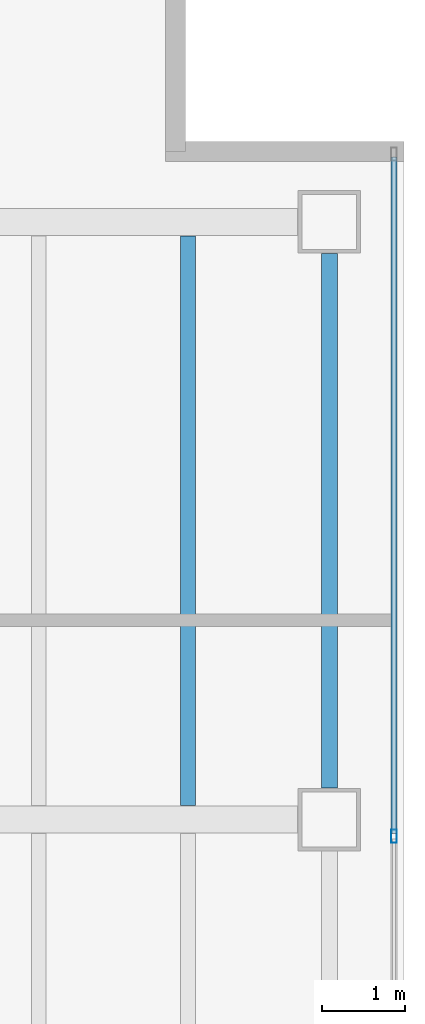
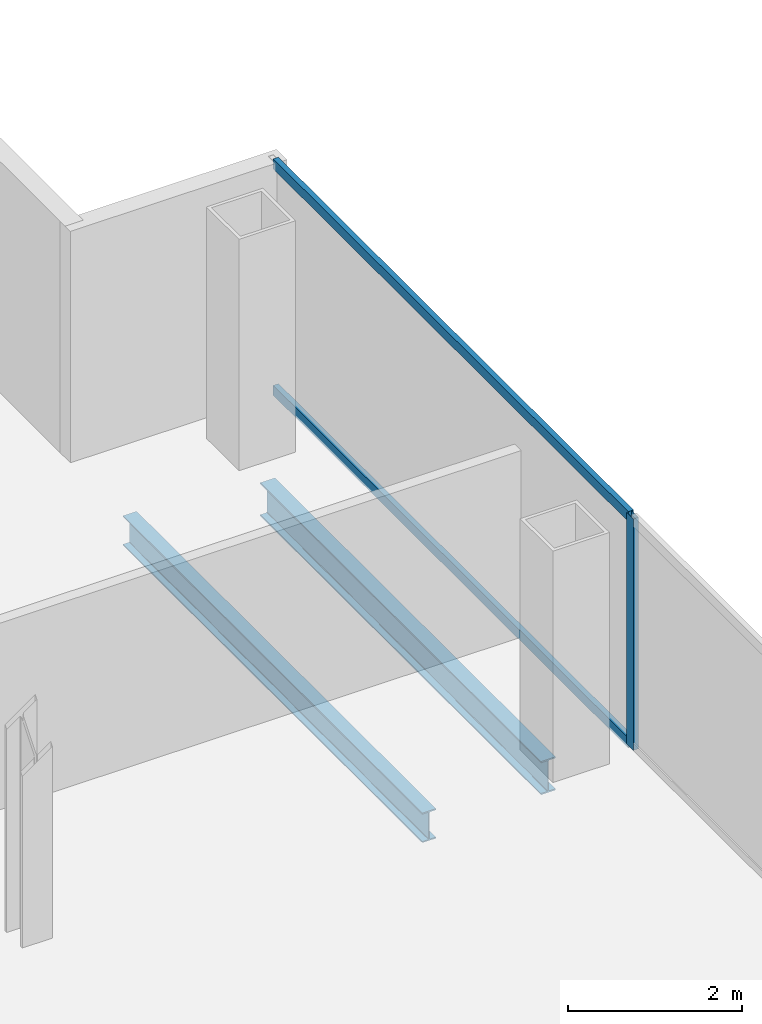
# One storey, part 14 of 23: 3 members, 2 beams, 1 element without a shape of its own.
"""IFC4 building model written with IfcOpenShell, lengths in metres."""

from ifc_helpers import new_model, si_unit, direction, frame, origin, origin_2d, place, context, subcontext, project, spatial, hollow_rectangle, i_section, extrude, material, material_profile, profile_set, type_object, element, aggregate, save


model = new_model("IFC4")

# Units and contexts
model_context = context("Model", 3, precision=1e-05, world=origin(), true_north=direction((0.0, 1.0)))
body_context = subcontext(model_context, "Body", "Model", "MODEL_VIEW")
ifc_project = project(units=[si_unit("LENGTHUNIT", "METRE"), si_unit("AREAUNIT", "SQUARE_METRE"), si_unit("VOLUMEUNIT", "CUBIC_METRE"), si_unit("PLANEANGLEUNIT", "RADIAN"), si_unit("MASSUNIT", "GRAM", prefix="KILO")], contexts=[model_context])

# Site, building, storey
site_placement = place(None, origin())
site = spatial("IfcSite", under=ifc_project, at=site_placement, CompositionType="ELEMENT")
building_placement = place(site_placement, origin())
building = spatial("IfcBuilding", under=site, at=building_placement, Name="Cobrela Telecom Tower", CompositionType="ELEMENT")
storey_placement = place(building_placement, frame((0.0, 0.0, 211.75)))
storey = spatial("IfcBuildingStorey", under=building, at=storey_placement, Name="L54", CompositionType="ELEMENT", Elevation=211.75)

# Beams
ifc_material_1 = material(Name="Steel ASTM A992 Grade 50", Category="steel")
ifc_material_profile_1 = material_profile(ifc_material_1, i_section(OverallWidth=0.179931640625, OverallDepth=0.4169921875, WebThickness=0.010986328125, FlangeThickness=0.01806640625, FilletRadius=0.011962890625, at=origin_2d()), Name="W16X57")
ifc_profile_set_1 = profile_set([ifc_material_profile_1], Name="Steel ASTM A992 Grade 50")
beam_type_1 = type_object("IfcBeamType", Name="BM-JOIST-04", PredefinedType="JOIST", material=ifc_profile_set_1)
beam_1_placement = place(storey_placement, frame((41.39990234375, 14.5673828125, -0.468505859375), z_axis=(0.0, 1.0, 0.0), x_axis=(-1.0, 0.0, 0.0)))
element("IfcBeam", 1, at=beam_1_placement, inside=storey, type_object=beam_type_1, Name="L54 Secondary Composite Floor Beam J30", PredefinedType="JOIST", context=body_context, shape_type="SweptSolid", body=[
    extrude(i_section(OverallWidth=0.179931640625, OverallDepth=0.4169921875, WebThickness=0.010986328125, FlangeThickness=0.01806640625, FilletRadius=0.011962890625, at=origin_2d()), origin(), (0.0, 0.0, 1.0), 6.865234375),
])
ifc_material_profile_2 = material_profile(ifc_material_1, i_section(OverallWidth=0.193115234375, OverallDepth=0.467041015625, WebThickness=0.011474609375, FlangeThickness=0.01904296875, FilletRadius=0.012939453125, at=origin_2d()), Name="W18X65")
ifc_profile_set_2 = profile_set([ifc_material_profile_2], Name="Steel ASTM A992 Grade 50")
beam_type_2 = type_object("IfcBeamType", Name="BM-SPAND-05", PredefinedType="SPANDREL", material=ifc_profile_set_2)
beam_2_placement = place(storey_placement, frame((43.10009765625, 14.780029296875, -0.493408203125), z_axis=(0.0, 1.0, 0.0), x_axis=(-1.0, 0.0, 0.0)))
element("IfcBeam", 2, at=beam_2_placement, inside=storey, type_object=beam_type_2, Name="L54 Perimeter Spandrel Y43", PredefinedType="SPANDREL", context=body_context, shape_type="SweptSolid", body=[
    extrude(i_section(OverallWidth=0.193115234375, OverallDepth=0.467041015625, WebThickness=0.011474609375, FlangeThickness=0.01904296875, FilletRadius=0.012939453125, at=origin_2d()), origin(), (0.0, 0.0, 1.0), 6.43994140625),
])

# Curtain wall, members
ifc_material_2 = material(Name="Anodized Bronze Aluminium 6063-T6", Category="aluminium")
curtain_wall_type = type_object("IfcCurtainWallType", Name="CW-SYS-OFF-LO", PredefinedType="USERDEFINED", material=ifc_material_2)
curtain_wall_placement = place(storey_placement, origin())
curtain_wall = element("IfcCurtainWall", 3, at=curtain_wall_placement, inside=storey, type_object=curtain_wall_type, Name="L54 Unitised Bronze Curtain Wall 14", ObjectType="UNITISED CURTAIN WALL", PredefinedType="USERDEFINED")
ifc_material_profile_3 = material_profile(ifc_material_2, hollow_rectangle(XDim=0.070068359375, YDim=0.159912109375, WallThickness=0.00390625, at=origin_2d()), Name="ALU 70x160x4")
ifc_profile_set_3 = profile_set([ifc_material_profile_3], Name="Anodized Bronze Aluminium 6063-T6")
member_type_1 = type_object("IfcMemberType", Name="CW-SYS-OFF-LO-MUL", PredefinedType="MULLION", material=ifc_profile_set_3)
member_1_placement = place(storey_placement, frame((43.8798828125, 14.199951171875, 0.0), z_axis=(0.0, 0.0, 1.0), x_axis=(1.0, 0.0, 0.0)))
member_1 = element("IfcMember", 4, at=member_1_placement, type_object=member_type_1, Name="CW-OFF-LO mullion 2", PredefinedType="MULLION", context=body_context, shape_type="SweptSolid", body=[
    extrude(hollow_rectangle(XDim=0.070068359375, YDim=0.159912109375, WallThickness=0.00390625, at=origin_2d()), origin(), (0.0, 0.0, 1.0), 3.239990234375),
])
ifc_material_profile_4 = material_profile(ifc_material_2, hollow_rectangle(XDim=0.070068359375, YDim=0.139892578125, WallThickness=0.00390625, at=origin_2d()), Name="ALU 70x140x4")
ifc_profile_set_4 = profile_set([ifc_material_profile_4], Name="Anodized Bronze Aluminium 6063-T6")
member_type_2 = type_object("IfcMemberType", Name="CW-SYS-OFF-LO-TRN", PredefinedType="USERDEFINED", material=ifc_profile_set_4)
member_2_placement = place(storey_placement, frame((43.8798828125, 22.3798828125, 0.034912109375), z_axis=(0.0, -1.0, 0.0), x_axis=(1.0, 0.0, 0.0)))
member_2 = element("IfcMember", 5, at=member_2_placement, type_object=member_type_2, Name="CW-OFF-LO transom 1.1", ObjectType="TRANSOM", PredefinedType="USERDEFINED", context=body_context, shape_type="SweptSolid", body=[
    extrude(hollow_rectangle(XDim=0.070068359375, YDim=0.139892578125, WallThickness=0.00390625, at=origin_2d()), origin(), (0.0, 0.0, 1.0), 8.144775390625),
])
member_3_placement = place(storey_placement, frame((43.8798828125, 22.3798828125, 3.205078125), z_axis=(0.0, -1.0, 0.0), x_axis=(1.0, 0.0, 0.0)))
member_3 = element("IfcMember", 6, at=member_3_placement, type_object=member_type_2, Name="CW-OFF-LO transom 1.2", ObjectType="TRANSOM", PredefinedType="USERDEFINED", context=body_context, shape_type="SweptSolid", body=[
    extrude(hollow_rectangle(XDim=0.070068359375, YDim=0.139892578125, WallThickness=0.00390625, at=origin_2d()), origin(), (0.0, 0.0, 1.0), 8.144775390625),
])
aggregate(curtain_wall, [member_1, member_2, member_3])

save(model, "model.ifc")
